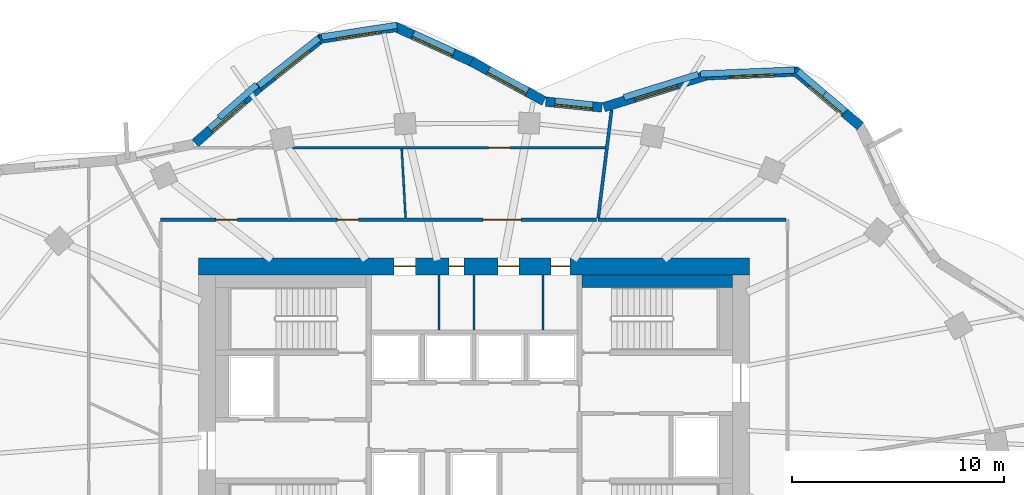
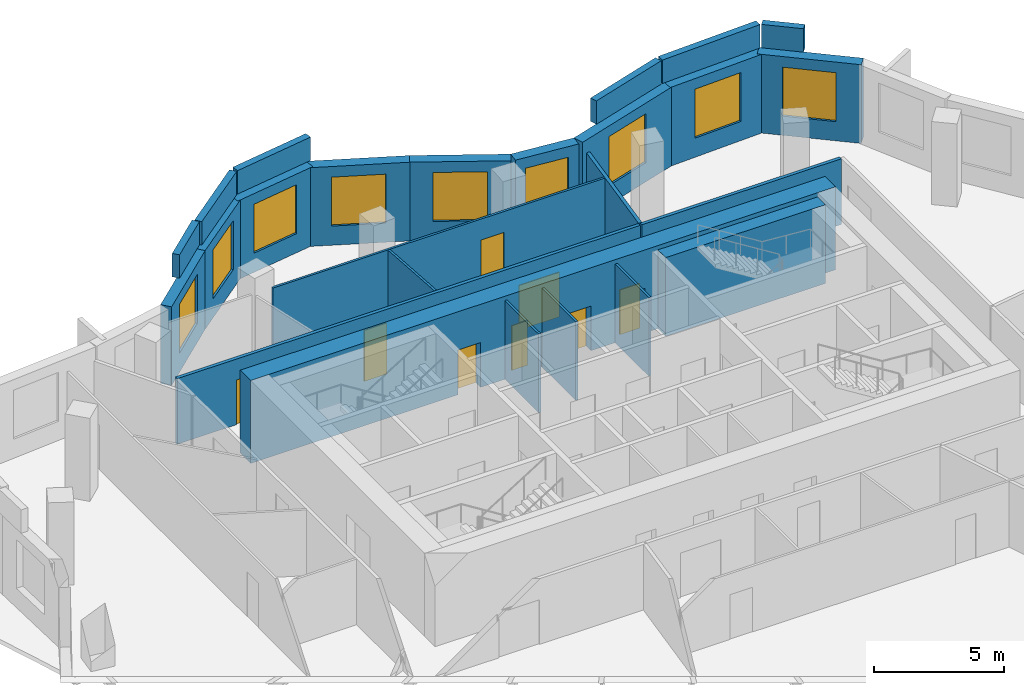
# One storey, part 7 of 9: 25 walls, 9 windows, 8 doors, 17 openings.
"""IFC4 building model written with IfcOpenShell, lengths in metres."""

import ifcopenshell
import ifcopenshell.guid

model = None  # the IFC model being written
_history = None  # IfcOwnerHistory: only IFC2X3 demands one
_inside = {}  # id of a spatial element -> (the spatial element, [elements in it])
_under = {}  # id of a project, library or spatial element -> (it, [spatial elements below it])
_declared = {}  # id of a project -> (the project, [libraries it declares])
_typed = {}  # id of a type object -> (the type object, [elements of that type])
_made_of = {}  # id of a material, layer set ... -> (it, [elements and type objects made of it])


def new_model(schema):
    """Start an empty IFC model of exactly this schema.

    Asked for "IFC4X3", IfcOpenShell would pick the latest addendum, in which some entities
    have other attributes; the version numbers below select the first issue.
    IFC2X3 requires an IfcOwnerHistory on every rooted entity: one is made here for all.
    """
    global model, _history
    if schema == "IFC4X3":
        model = ifcopenshell.file(schema_version=(4, 3, 0, 0))
    else:
        model = ifcopenshell.file(schema=schema)
    _inside.clear()
    _under.clear()
    _declared.clear()
    _typed.clear()
    _made_of.clear()
    _history = None
    if model.schema == "IFC2X3":
        org = make("IfcOrganization", Name="unknown")
        user = make(
            "IfcPersonAndOrganization",
            ThePerson=make("IfcPerson", FamilyName="unknown"),
            TheOrganization=org,
        )
        app = make(
            "IfcApplication",
            ApplicationDeveloper=org,
            Version="unknown",
            ApplicationFullName="unknown",
            ApplicationIdentifier="unknown",
        )
        _history = make(
            "IfcOwnerHistory",
            OwningUser=user,
            OwningApplication=app,
            ChangeAction="ADDED",
            CreationDate=0,
        )
    return model


def make(cls, **values):
    """One entity of the class cls with the attributes given. An attribute that is None is left unset."""
    return model.create_entity(
        cls, **{name: value for name, value in values.items() if value is not None}
    )


def rooted(cls, **values):
    """An entity with a GlobalId (a new one), such as an element, a storey or a relation."""
    return make(cls, GlobalId=ifcopenshell.guid.new(), OwnerHistory=_history, **values)


def si_unit(unit_type, name, prefix=None):
    """IfcSIUnit, for example si_unit("LENGTHUNIT", "METRE", prefix="MILLI")."""
    return make("IfcSIUnit", UnitType=unit_type, Prefix=prefix, Name=name)


def assignment(units):
    """IfcUnitAssignment: the units of a project."""
    return None if units is None else make("IfcUnitAssignment", Units=units)


def point(xyz):
    """IfcCartesianPoint."""
    return None if xyz is None else make("IfcCartesianPoint", Coordinates=xyz)


def direction(xyz):
    """IfcDirection."""
    return None if xyz is None else make("IfcDirection", DirectionRatios=xyz)


def frame(location, z_axis=None, x_axis=None):
    """IfcAxis2Placement3D, a coordinate frame: its origin and axes. An axis left out is left unset."""
    return make(
        "IfcAxis2Placement3D",
        Location=point(location),
        Axis=direction(z_axis),
        RefDirection=direction(x_axis),
    )


def frame_2d(location, x_axis=None):
    """IfcAxis2Placement2D, a coordinate frame in the plane: its origin and x axis."""
    return make(
        "IfcAxis2Placement2D", Location=point(location), RefDirection=direction(x_axis)
    )


def origin():
    """The frame at (0, 0, 0) with its axes left unset."""
    return frame((0.0, 0.0, 0.0))


def place(relative_to, where):
    """IfcLocalPlacement: puts the frame where relative to a parent placement (None: the world)."""
    return make(
        "IfcLocalPlacement", PlacementRelTo=relative_to, RelativePlacement=where
    )


def context(
    kind, dimensions, precision=None, world=None, true_north=None, identifier=None
):
    """IfcGeometricRepresentationContext, for example the 3D "Model" context."""
    return make(
        "IfcGeometricRepresentationContext",
        ContextIdentifier=identifier,
        ContextType=kind,
        CoordinateSpaceDimension=dimensions,
        Precision=precision,
        WorldCoordinateSystem=world,
        TrueNorth=true_north,
    )


def subcontext(parent, identifier, kind, view, scale=None):
    """IfcGeometricRepresentationSubContext, for example "Body" below "Model"."""
    return make(
        "IfcGeometricRepresentationSubContext",
        ContextIdentifier=identifier,
        ContextType=kind,
        ParentContext=parent,
        TargetScale=scale,
        TargetView=view,
    )


def project(units=None, contexts=None):
    """IfcProject with its units and contexts."""
    return rooted(
        "IfcProject",
        Name="project",
        RepresentationContexts=contexts,
        UnitsInContext=assignment(units),
    )


def spatial(cls, under=None, at=None, **own):
    """A site, building, storey or space (cls), placed at a placement, below another one or the project."""
    s = rooted(cls, ObjectPlacement=at, **own)
    if under is not None:
        _under.setdefault(under.id(), (under, []))[1].append(s)
    return s


def profile(cls, at=None, kind="AREA", **sizes):
    """A parametric profile (cls). Its sizes go by their IFC names, for example OverallWidth=200.0."""
    return make(cls, ProfileType=kind, Position=at, **sizes)


def rectangle(**sizes):
    """IfcRectangleProfileDef."""
    return profile("IfcRectangleProfileDef", **sizes)


def extrude(swept, where, along, depth):
    """IfcExtrudedAreaSolid: the profile swept, set in the frame where, extruded along a direction by depth."""
    return make(
        "IfcExtrudedAreaSolid",
        SweptArea=swept,
        Position=where,
        ExtrudedDirection=direction(along),
        Depth=depth,
    )


def shape(context_of_items, identifier, shape_type, items):
    """IfcShapeRepresentation: the items that make up one representation, for example the "Body"."""
    return make(
        "IfcShapeRepresentation",
        ContextOfItems=context_of_items,
        RepresentationIdentifier=identifier,
        RepresentationType=shape_type,
        Items=items,
    )


def material(Name=None, Category=None):
    """IfcMaterial."""
    return make("IfcMaterial", Name=Name, Category=Category)


def layer(
    of_material, thickness, ventilated=None, Name=None, Category=None, Priority=None
):
    """IfcMaterialLayer: one layer of a wall or slab, of a material (None: an air gap)."""
    return make(
        "IfcMaterialLayer",
        Material=of_material,
        LayerThickness=thickness,
        IsVentilated=ventilated,
        Name=Name,
        Category=Category,
        Priority=Priority,
    )


def layer_set(layers, Name=None):
    """IfcMaterialLayerSet."""
    return make("IfcMaterialLayerSet", MaterialLayers=layers, LayerSetName=Name)


def made_of(thing, what):
    """Note that an element or type object is made of a material, layer set ...; save() writes the relation."""
    if what is not None:
        _made_of.setdefault(what.id(), (what, []))[1].append(thing)
    return thing


def type_object(cls, material=None, **own):
    """A type object (cls), such as IfcWallType, which elements share."""
    return made_of(rooted(cls, **own), material)


def element(
    cls,
    number,
    at=None,
    inside=None,
    cuts=None,
    type_object=None,
    material=None,
    context=None,
    identifier="Body",
    shape_type=None,
    held_by="IfcProductDefinitionShape",
    body=None,
    shapes=None,
    **own,
):
    """One element of the class cls, such as IfcWall. Its Tag is "e" and its number.

    at: its placement. inside: the storey or other place that contains it. cuts: it is an
    opening in that element (IfcRelVoidsElement). A single representation is given by context,
    identifier, shape_type and body (its items); several are given by shapes. held_by: the class
    of the entity that holds the representations. save() writes the other relations.
    """
    e = rooted(cls, Tag="e%d" % number, ObjectPlacement=at, **own)
    if body is not None:
        shapes = [shape(context, identifier, shape_type, body)]
    if shapes is not None:
        e.Representation = make(held_by, Representations=shapes)
    if inside is not None:
        _inside.setdefault(inside.id(), (inside, []))[1].append(e)
    if cuts is not None:
        rooted(
            "IfcRelVoidsElement", RelatingBuildingElement=cuts, RelatedOpeningElement=e
        )
    if type_object is not None:
        _typed.setdefault(type_object.id(), (type_object, []))[1].append(e)
    return made_of(e, material)


def fill(opening, filler):
    """IfcRelFillsElement: the door or window that sits in an opening."""
    return rooted(
        "IfcRelFillsElement",
        RelatingOpeningElement=opening,
        RelatedBuildingElement=filler,
    )


def aggregate(whole, parts):
    """IfcRelAggregates: a whole, such as a stair, and the parts it consists of."""
    return rooted("IfcRelAggregates", RelatingObject=whole, RelatedObjects=parts)


def save(model, path):
    """Write the relations noted so far, then the file.

    IfcRelAggregates (storeys below a building ...), IfcRelContainedInSpatialStructure (elements
    in a storey), IfcRelDefinesByType, IfcRelAssociatesMaterial and IfcRelDeclares: one each for
    every whole, place, type object, material and project.
    """
    for whole, parts in _under.values():
        aggregate(whole, parts)
    for where, things in _inside.values():
        rooted(
            "IfcRelContainedInSpatialStructure",
            RelatedElements=things,
            RelatingStructure=where,
        )
    for kind, things in _typed.values():
        rooted("IfcRelDefinesByType", RelatedObjects=things, RelatingType=kind)
    for what, things in _made_of.values():
        rooted("IfcRelAssociatesMaterial", RelatedObjects=things, RelatingMaterial=what)
    for by, libraries in _declared.values():
        rooted("IfcRelDeclares", RelatingContext=by, RelatedDefinitions=libraries)
    model.write(path)


model = new_model("IFC4")

# Units and contexts
model_context = context("Model", 3, precision=1e-05, world=origin(), true_north=direction((0.0, 1.0)))
body_context = subcontext(model_context, "Body", "Model", "MODEL_VIEW")
ifc_project = project(units=[si_unit("LENGTHUNIT", "METRE"), si_unit("AREAUNIT", "SQUARE_METRE"), si_unit("VOLUMEUNIT", "CUBIC_METRE"), si_unit("PLANEANGLEUNIT", "RADIAN"), si_unit("MASSUNIT", "GRAM", prefix="KILO")], contexts=[model_context])

# Site, building, storey
site_placement = place(None, origin())
site = spatial("IfcSite", under=ifc_project, at=site_placement, CompositionType="ELEMENT")
building_placement = place(site_placement, origin())
building = spatial("IfcBuilding", under=site, at=building_placement, Name="Rubra Terraces Tower", CompositionType="ELEMENT")
storey_placement = place(building_placement, frame((0.0, 0.0, 244.800048828125)))
storey = spatial("IfcBuildingStorey", under=building, at=storey_placement, Name="L60", CompositionType="ELEMENT", Elevation=244.800048828125)

# Wall, opening, window
ifc_material_1 = material(Name="Brick masonry red-brown", Category="masonry")
ifc_layer_1 = layer(ifc_material_1, 0.449951171875)
ifc_layer_set_1 = layer_set([ifc_layer_1], Name="Brick masonry red-brown")
wall_type_1 = type_object("IfcWallType", Name="Brick facade wall 450", PredefinedType="SOLIDWALL", material=ifc_layer_set_1)
wall_1_placement = place(storey_placement, frame((18.23828125, 18.21240234375, 0.0), z_axis=(0.0, 0.0, 1.0), x_axis=(-0.762479604733, 0.647012250554, 0.0)))
wall_1 = element("IfcWall", 1, at=wall_1_placement, inside=storey, type_object=wall_type_1, Name="Facade wall L60 bay 6", PredefinedType="SOLIDWALL", context=body_context, shape_type="SweptSolid", body=[
    extrude(rectangle(XDim=4.07861328125, YDim=0.449951171875, at=frame_2d((2.039306640625, 0.0))), origin(), (0.0, 0.0, 1.0), 3.699951171875),
])
opening_1_placement = place(wall_1_placement, frame((0.989501953125, 0.0, 0.89990234375)))
opening_1 = element("IfcOpeningElement", 2, at=opening_1_placement, cuts=wall_1, Name="Opening W1B", PredefinedType="OPENING", context=body_context, shape_type="SweptSolid", body=[
    extrude(rectangle(XDim=2.10009765625, YDim=2.300048828125, at=frame_2d((1.050048828125, 1.14990234375))), frame((0.0, 0.23486328125, 0.0), z_axis=(0.0, -1.0, 0.0), x_axis=(1.0, 0.0, 0.0)), (0.0, 0.0, 1.0), 0.469970703125),
])
ifc_material_2 = material(Name="Clear glass in aluminium frame", Category="aluminium")
window_type_1 = type_object("IfcWindowType", Name="Fixed deep-set window tall storey 2100 x 2300", PartitioningType="SINGLE_PANEL", PredefinedType="WINDOW", material=ifc_material_2)
window_1_placement = place(opening_1_placement, origin())
window_1 = element("IfcWindow", 3, at=window_1_placement, inside=storey, type_object=window_type_1, Name="Window L60 bay 6", OverallHeight=2.300048828125, OverallWidth=2.10009765625, PartitioningType="SINGLE_PANEL", PredefinedType="WINDOW", context=body_context, shape_type="SweptSolid", body=[
    extrude(rectangle(XDim=2.10009765625, YDim=2.300048828125, at=frame_2d((1.050048828125, 1.14990234375))), frame((0.0, 0.135009765625, 0.0), z_axis=(0.0, -1.0, 0.0), x_axis=(1.0, 0.0, 0.0)), (0.0, 0.0, 1.0), 0.06005859375),
])
fill(opening_1, window_1)

wall_2_placement = place(storey_placement, frame((15.283447265625, 20.798095703125, 0.0), z_axis=(0.0, 0.0, 1.0), x_axis=(-0.999108814386, -0.042208731526, 0.0)))
wall_2 = element("IfcWall", 4, at=wall_2_placement, inside=storey, type_object=wall_type_1, Name="Facade wall L60 bay 7", PredefinedType="SOLIDWALL", context=body_context, shape_type="SweptSolid", body=[
    extrude(rectangle(XDim=4.338134765625, YDim=0.449951171875, at=frame_2d((2.1689453125, 0.0))), origin(), (0.0, 0.0, 1.0), 3.699951171875),
])
opening_2_placement = place(wall_2_placement, frame((1.119140625, 0.0, 0.89990234375)))
opening_2 = element("IfcOpeningElement", 5, at=opening_2_placement, cuts=wall_2, Name="Opening W1B", PredefinedType="OPENING", context=body_context, shape_type="SweptSolid", body=[
    extrude(rectangle(XDim=2.10009765625, YDim=2.300048828125, at=frame_2d((1.050048828125, 1.14990234375))), frame((0.0, 0.23486328125, 0.0), z_axis=(0.0, -1.0, 0.0), x_axis=(1.0, 0.0, 0.0)), (0.0, 0.0, 1.0), 0.469970703125),
])
window_2_placement = place(opening_2_placement, origin())
window_2 = element("IfcWindow", 6, at=window_2_placement, inside=storey, type_object=window_type_1, Name="Window L60 bay 7", OverallHeight=2.300048828125, OverallWidth=2.10009765625, PartitioningType="SINGLE_PANEL", PredefinedType="WINDOW", context=body_context, shape_type="SweptSolid", body=[
    extrude(rectangle(XDim=2.10009765625, YDim=2.300048828125, at=frame_2d((1.050048828125, 1.14990234375))), frame((0.0, 0.135009765625, 0.0), z_axis=(0.0, -1.0, 0.0), x_axis=(1.0, 0.0, 0.0)), (0.0, 0.0, 1.0), 0.06005859375),
])
fill(opening_2, window_2)

wall_3_placement = place(storey_placement, frame((11.006591796875, 20.625, 0.0), z_axis=(0.0, 0.0, 1.0), x_axis=(-0.954949254112, -0.296769139352, 0.0)))
wall_3 = element("IfcWall", 7, at=wall_3_placement, inside=storey, type_object=wall_type_1, Name="Facade wall L60 bay 8", PredefinedType="SOLIDWALL", context=body_context, shape_type="SweptSolid", body=[
    extrude(rectangle(XDim=5.106201171875, YDim=0.449951171875, at=frame_2d((2.55322265625, 0.0))), origin(), (0.0, 0.0, 1.0), 3.699951171875),
])
opening_3_placement = place(wall_3_placement, frame((1.503173828125, 0.0, 0.89990234375)))
opening_3 = element("IfcOpeningElement", 8, at=opening_3_placement, cuts=wall_3, Name="Opening W1B", PredefinedType="OPENING", context=body_context, shape_type="SweptSolid", body=[
    extrude(rectangle(XDim=2.10009765625, YDim=2.300048828125, at=frame_2d((1.050048828125, 1.14990234375))), frame((0.0, 0.23486328125, 0.0), z_axis=(0.0, -1.0, 0.0), x_axis=(1.0, 0.0, 0.0)), (0.0, 0.0, 1.0), 0.469970703125),
])
window_3_placement = place(opening_3_placement, origin())
window_3 = element("IfcWindow", 9, at=window_3_placement, inside=storey, type_object=window_type_1, Name="Window L60 bay 8", OverallHeight=2.300048828125, OverallWidth=2.10009765625, PartitioningType="SINGLE_PANEL", PredefinedType="WINDOW", context=body_context, shape_type="SweptSolid", body=[
    extrude(rectangle(XDim=2.10009765625, YDim=2.300048828125, at=frame_2d((1.050048828125, 1.14990234375))), frame((0.0, 0.135009765625, 0.0), z_axis=(0.0, -1.0, 0.0), x_axis=(1.0, 0.0, 0.0)), (0.0, 0.0, 1.0), 0.06005859375),
])
fill(opening_3, window_3)

wall_4_placement = place(storey_placement, frame((6.040283203125, 19.1005859375, 0.0), z_axis=(0.0, 0.0, 1.0), x_axis=(-0.994675968472, 0.103052014752, 0.0)))
wall_4 = element("IfcWall", 10, at=wall_4_placement, inside=storey, type_object=wall_type_1, Name="Facade wall L60 bay 9", PredefinedType="SOLIDWALL", context=body_context, shape_type="SweptSolid", body=[
    extrude(rectangle(XDim=2.669921875, YDim=0.449951171875, at=frame_2d((1.3349609375, 0.0))), origin(), (0.0, 0.0, 1.0), 3.699951171875),
])
opening_4_placement = place(wall_4_placement, frame((0.43505859375, 0.0, 0.89990234375)))
opening_4 = element("IfcOpeningElement", 11, at=opening_4_placement, cuts=wall_4, Name="Opening W6B", PredefinedType="OPENING", context=body_context, shape_type="SweptSolid", body=[
    extrude(rectangle(XDim=1.800048828125, YDim=2.300048828125, at=frame_2d((0.89990234375, 1.14990234375))), frame((0.0, 0.23486328125, 0.0), z_axis=(0.0, -1.0, 0.0), x_axis=(1.0, 0.0, 0.0)), (0.0, 0.0, 1.0), 0.469970703125),
])
window_type_2 = type_object("IfcWindowType", Name="Fixed deep-set window at wind fin tall storey 1800 x 2300", PartitioningType="SINGLE_PANEL", PredefinedType="WINDOW", material=ifc_material_2)
window_4_placement = place(opening_4_placement, origin())
window_4 = element("IfcWindow", 12, at=window_4_placement, inside=storey, type_object=window_type_2, Name="Window L60 bay 9", OverallHeight=2.300048828125, OverallWidth=1.800048828125, PartitioningType="SINGLE_PANEL", PredefinedType="WINDOW", context=body_context, shape_type="SweptSolid", body=[
    extrude(rectangle(XDim=1.800048828125, YDim=2.300048828125, at=frame_2d((0.89990234375, 1.14990234375))), frame((0.0, 0.135009765625, 0.0), z_axis=(0.0, -1.0, 0.0), x_axis=(1.0, 0.0, 0.0)), (0.0, 0.0, 1.0), 0.06005859375),
])
fill(opening_4, window_4)

wall_5_placement = place(storey_placement, frame((3.302001953125, 19.40087890625, 0.0), z_axis=(0.0, 0.0, 1.0), x_axis=(-0.878060540763, 0.47854956562, 0.0)))
wall_5 = element("IfcWall", 13, at=wall_5_placement, inside=storey, type_object=wall_type_1, Name="Facade wall L60 bay 10", PredefinedType="SOLIDWALL", context=body_context, shape_type="SweptSolid", body=[
    extrude(rectangle(XDim=3.9013671875, YDim=0.449951171875, at=frame_2d((1.95068359375, 0.0))), origin(), (0.0, 0.0, 1.0), 3.699951171875),
])
opening_5_placement = place(wall_5_placement, frame((0.900634765625, 0.0, 0.89990234375)))
opening_5 = element("IfcOpeningElement", 14, at=opening_5_placement, cuts=wall_5, Name="Opening W1B", PredefinedType="OPENING", context=body_context, shape_type="SweptSolid", body=[
    extrude(rectangle(XDim=2.10009765625, YDim=2.300048828125, at=frame_2d((1.050048828125, 1.14990234375))), frame((0.0, 0.23486328125, 0.0), z_axis=(0.0, -1.0, 0.0), x_axis=(1.0, 0.0, 0.0)), (0.0, 0.0, 1.0), 0.469970703125),
])
window_5_placement = place(opening_5_placement, origin())
window_5 = element("IfcWindow", 15, at=window_5_placement, inside=storey, type_object=window_type_1, Name="Window L60 bay 10", OverallHeight=2.300048828125, OverallWidth=2.10009765625, PartitioningType="SINGLE_PANEL", PredefinedType="WINDOW", context=body_context, shape_type="SweptSolid", body=[
    extrude(rectangle(XDim=2.10009765625, YDim=2.300048828125, at=frame_2d((1.050048828125, 1.14990234375))), frame((0.0, 0.135009765625, 0.0), z_axis=(0.0, -1.0, 0.0), x_axis=(1.0, 0.0, 0.0)), (0.0, 0.0, 1.0), 0.06005859375),
])
fill(opening_5, window_5)

wall_6_placement = place(storey_placement, frame((-0.109130859375, 21.260986328125, 0.0), z_axis=(0.0, 0.0, 1.0), x_axis=(-0.910040573706, 0.414519184367, 0.0)))
wall_6 = element("IfcWall", 16, at=wall_6_placement, inside=storey, type_object=wall_type_1, Name="Facade wall L60 bay 11", PredefinedType="SOLIDWALL", context=body_context, shape_type="SweptSolid", body=[
    extrude(rectangle(XDim=4.005615234375, YDim=0.449951171875, at=frame_2d((2.0029296875, 0.0))), origin(), (0.0, 0.0, 1.0), 3.699951171875),
])
opening_6_placement = place(wall_6_placement, frame((0.952880859375, 0.0, 0.89990234375)))
opening_6 = element("IfcOpeningElement", 17, at=opening_6_placement, cuts=wall_6, Name="Opening W1B", PredefinedType="OPENING", context=body_context, shape_type="SweptSolid", body=[
    extrude(rectangle(XDim=2.10009765625, YDim=2.300048828125, at=frame_2d((1.050048828125, 1.14990234375))), frame((0.0, 0.23486328125, 0.0), z_axis=(0.0, -1.0, 0.0), x_axis=(1.0, 0.0, 0.0)), (0.0, 0.0, 1.0), 0.469970703125),
])
window_6_placement = place(opening_6_placement, origin())
window_6 = element("IfcWindow", 18, at=window_6_placement, inside=storey, type_object=window_type_1, Name="Window L60 bay 11", OverallHeight=2.300048828125, OverallWidth=2.10009765625, PartitioningType="SINGLE_PANEL", PredefinedType="WINDOW", context=body_context, shape_type="SweptSolid", body=[
    extrude(rectangle(XDim=2.10009765625, YDim=2.300048828125, at=frame_2d((1.050048828125, 1.14990234375))), frame((0.0, 0.135009765625, 0.0), z_axis=(0.0, -1.0, 0.0), x_axis=(1.0, 0.0, 0.0)), (0.0, 0.0, 1.0), 0.06005859375),
])
fill(opening_6, window_6)

wall_7_placement = place(storey_placement, frame((-3.628662109375, 22.904541015625, 0.0), z_axis=(0.0, 0.0, 1.0), x_axis=(-0.988300084321, -0.152521943772, 0.0)))
wall_7 = element("IfcWall", 19, at=wall_7_placement, inside=storey, type_object=wall_type_1, Name="Facade wall L60 bay 12", PredefinedType="SOLIDWALL", context=body_context, shape_type="SweptSolid", body=[
    extrude(rectangle(XDim=3.71044921875, YDim=0.449951171875, at=frame_2d((1.855224609375, 0.0))), origin(), (0.0, 0.0, 1.0), 3.699951171875),
])
opening_7_placement = place(wall_7_placement, frame((0.80517578125, 0.0, 0.89990234375)))
opening_7 = element("IfcOpeningElement", 20, at=opening_7_placement, cuts=wall_7, Name="Opening W1B", PredefinedType="OPENING", context=body_context, shape_type="SweptSolid", body=[
    extrude(rectangle(XDim=2.10009765625, YDim=2.300048828125, at=frame_2d((1.050048828125, 1.14990234375))), frame((0.0, 0.23486328125, 0.0), z_axis=(0.0, -1.0, 0.0), x_axis=(1.0, 0.0, 0.0)), (0.0, 0.0, 1.0), 0.469970703125),
])
window_7_placement = place(opening_7_placement, origin())
window_7 = element("IfcWindow", 21, at=window_7_placement, inside=storey, type_object=window_type_1, Name="Window L60 bay 12", OverallHeight=2.300048828125, OverallWidth=2.10009765625, PartitioningType="SINGLE_PANEL", PredefinedType="WINDOW", context=body_context, shape_type="SweptSolid", body=[
    extrude(rectangle(XDim=2.10009765625, YDim=2.300048828125, at=frame_2d((1.050048828125, 1.14990234375))), frame((0.0, 0.135009765625, 0.0), z_axis=(0.0, -1.0, 0.0), x_axis=(1.0, 0.0, 0.0)), (0.0, 0.0, 1.0), 0.06005859375),
])
fill(opening_7, window_7)

wall_8_placement = place(storey_placement, frame((-7.192626953125, 22.3828125, 0.0), z_axis=(0.0, 0.0, 1.0), x_axis=(-0.784803291184, -0.619744942816, 0.0)))
wall_8 = element("IfcWall", 22, at=wall_8_placement, inside=storey, type_object=wall_type_1, Name="Facade wall L60 bay 13", PredefinedType="SOLIDWALL", context=body_context, shape_type="SweptSolid", body=[
    extrude(rectangle(XDim=3.774658203125, YDim=0.449951171875, at=frame_2d((1.88720703125, 0.0))), origin(), (0.0, 0.0, 1.0), 3.699951171875),
])
opening_8_placement = place(wall_8_placement, frame((0.83740234375, 0.0, 0.89990234375)))
opening_8 = element("IfcOpeningElement", 23, at=opening_8_placement, cuts=wall_8, Name="Opening W1B", PredefinedType="OPENING", context=body_context, shape_type="SweptSolid", body=[
    extrude(rectangle(XDim=2.10009765625, YDim=2.300048828125, at=frame_2d((1.050048828125, 1.14990234375))), frame((0.0, 0.23486328125, 0.0), z_axis=(0.0, -1.0, 0.0), x_axis=(1.0, 0.0, 0.0)), (0.0, 0.0, 1.0), 0.469970703125),
])
window_8_placement = place(opening_8_placement, origin())
window_8 = element("IfcWindow", 24, at=window_8_placement, inside=storey, type_object=window_type_1, Name="Window L60 bay 13", OverallHeight=2.300048828125, OverallWidth=2.10009765625, PartitioningType="SINGLE_PANEL", PredefinedType="WINDOW", context=body_context, shape_type="SweptSolid", body=[
    extrude(rectangle(XDim=2.10009765625, YDim=2.300048828125, at=frame_2d((1.050048828125, 1.14990234375))), frame((0.0, 0.135009765625, 0.0), z_axis=(0.0, -1.0, 0.0), x_axis=(1.0, 0.0, 0.0)), (0.0, 0.0, 1.0), 0.06005859375),
])
fill(opening_8, window_8)

wall_9_placement = place(storey_placement, frame((-10.146484375, 20.050537109375, 0.0), z_axis=(0.0, 0.0, 1.0), x_axis=(-0.753278140428, -0.657702093013, 0.0)))
wall_9 = element("IfcWall", 25, at=wall_9_placement, inside=storey, type_object=wall_type_1, Name="Facade wall L60 bay 14", PredefinedType="SOLIDWALL", context=body_context, shape_type="SweptSolid", body=[
    extrude(rectangle(XDim=4.0078125, YDim=0.449951171875, at=frame_2d((2.00390625, 0.0))), origin(), (0.0, 0.0, 1.0), 3.699951171875),
])
opening_9_placement = place(wall_9_placement, frame((0.9541015625, 0.0, 0.89990234375)))
opening_9 = element("IfcOpeningElement", 26, at=opening_9_placement, cuts=wall_9, Name="Opening W1B", PredefinedType="OPENING", context=body_context, shape_type="SweptSolid", body=[
    extrude(rectangle(XDim=2.10009765625, YDim=2.300048828125, at=frame_2d((1.050048828125, 1.14990234375))), frame((0.0, 0.23486328125, 0.0), z_axis=(0.0, -1.0, 0.0), x_axis=(1.0, 0.0, 0.0)), (0.0, 0.0, 1.0), 0.469970703125),
])
window_9_placement = place(opening_9_placement, origin())
window_9 = element("IfcWindow", 27, at=window_9_placement, inside=storey, type_object=window_type_1, Name="Window L60 bay 14", OverallHeight=2.300048828125, OverallWidth=2.10009765625, PartitioningType="SINGLE_PANEL", PredefinedType="WINDOW", context=body_context, shape_type="SweptSolid", body=[
    extrude(rectangle(XDim=2.10009765625, YDim=2.300048828125, at=frame_2d((1.050048828125, 1.14990234375))), frame((0.0, 0.135009765625, 0.0), z_axis=(0.0, -1.0, 0.0), x_axis=(1.0, 0.0, 0.0)), (0.0, 0.0, 1.0), 0.06005859375),
])
fill(opening_9, window_9)

# Walls
ifc_layer_2 = layer(ifc_material_1, 0.300048828125)
ifc_layer_set_2 = layer_set([ifc_layer_2], Name="Brick masonry red-brown")
wall_type_2 = type_object("IfcWallType", Name="Brick parapet 300", PredefinedType="PARAPET", material=ifc_layer_set_2)
wall_10_placement = place(storey_placement, frame((16.54150390625, 19.75048828125, 3.89990234375), z_axis=(0.0, 0.0, 1.0), x_axis=(-0.762426907318, 0.647074347349, 0.0)))
element("IfcWall", 28, at=wall_10_placement, inside=storey, type_object=wall_type_2, Name="Parapet L60 bay 6", PredefinedType="PARAPET", context=body_context, shape_type="SweptSolid", body=[
    extrude(rectangle(XDim=1.642333984375, YDim=0.300048828125, at=frame_2d((0.8212890625, 0.0))), origin(), (0.0, 0.0, 1.0), 1.10009765625),
])
wall_11_placement = place(storey_placement, frame((15.133056640625, 20.866943359375, 3.89990234375), z_axis=(0.0, 0.0, 1.0), x_axis=(-0.999109914186, -0.042182690458, 0.0)))
element("IfcWall", 29, at=wall_11_placement, inside=storey, type_object=wall_type_2, Name="Parapet L60 bay 7", PredefinedType="PARAPET", context=body_context, shape_type="SweptSolid", body=[
    extrude(rectangle(XDim=4.45068359375, YDim=0.300048828125, at=frame_2d((2.225341796875, 0.0))), origin(), (0.0, 0.0, 1.0), 1.10009765625),
])
wall_12_placement = place(storey_placement, frame((10.589599609375, 20.662353515625, 3.89990234375), z_axis=(0.0, 0.0, 1.0), x_axis=(-0.954933257017, -0.296820610207, 0.0)))
element("IfcWall", 30, at=wall_12_placement, inside=storey, type_object=wall_type_2, Name="Parapet L60 bay 8", PredefinedType="PARAPET", context=body_context, shape_type="SweptSolid", body=[
    extrude(rectangle(XDim=3.6806640625, YDim=0.300048828125, at=frame_2d((1.84033203125, 0.0))), origin(), (0.0, 0.0, 1.0), 1.10009765625),
])
wall_13_placement = place(storey_placement, frame((-3.64013671875, 22.978759765625, 3.89990234375), z_axis=(0.0, 0.0, 1.0), x_axis=(-0.988299486994, -0.152525814235, 0.0)))
element("IfcWall", 31, at=wall_13_placement, inside=storey, type_object=wall_type_2, Name="Parapet L60 bay 12", PredefinedType="PARAPET", context=body_context, shape_type="SweptSolid", body=[
    extrude(rectangle(XDim=3.6015625, YDim=0.300048828125, at=frame_2d((1.80078125, 0.0))), origin(), (0.0, 0.0, 1.0), 1.10009765625),
])
wall_14_placement = place(storey_placement, frame((-7.322509765625, 22.375732421875, 3.89990234375), z_axis=(0.0, 0.0, 1.0), x_axis=(-0.784819122577, -0.61972489448, 0.0)))
element("IfcWall", 32, at=wall_14_placement, inside=storey, type_object=wall_type_2, Name="Parapet L60 bay 13", PredefinedType="PARAPET", context=body_context, shape_type="SweptSolid", body=[
    extrude(rectangle(XDim=3.63330078125, YDim=0.300048828125, at=frame_2d((1.816650390625, 0.0))), origin(), (0.0, 0.0, 1.0), 1.10009765625),
])
wall_15_placement = place(storey_placement, frame((-10.252197265625, 20.17431640625, 3.89990234375), z_axis=(0.0, 0.0, 1.0), x_axis=(-0.753260147018, -0.657722700622, 0.0)))
element("IfcWall", 33, at=wall_15_placement, inside=storey, type_object=wall_type_2, Name="Parapet L60 bay 14", PredefinedType="PARAPET", context=body_context, shape_type="SweptSolid", body=[
    extrude(rectangle(XDim=2.366455078125, YDim=0.300048828125, at=frame_2d((1.18310546875, 0.0))), origin(), (0.0, 0.0, 1.0), 1.10009765625),
])

# Wall, openings, doors
ifc_material_3 = material(Name="Concrete C50", Category="concrete")
ifc_layer_3 = layer(ifc_material_3, 0.800048828125)
ifc_layer_set_3 = layer_set([ifc_layer_3], Name="Concrete C50")
wall_type_3 = type_object("IfcWallType", Name="CORE WALL 800 C50", PredefinedType="SHEAR", material=ifc_layer_set_3)
wall_16_placement = place(storey_placement, frame((-13.0, 11.60009765625, 0.0), z_axis=(0.0, 0.0, 1.0), x_axis=(1.0, 0.0, 0.0)))
wall_16 = element("IfcWall", 34, at=wall_16_placement, inside=storey, type_object=wall_type_3, Name="CORE WALL N L60", PredefinedType="SHEAR", context=body_context, shape_type="SweptSolid", body=[
    extrude(rectangle(XDim=26.0, YDim=0.800048828125, at=frame_2d((13.0, 0.0))), origin(), (0.0, 0.0, 1.0), 3.89990234375),
])
opening_10_placement = place(wall_16_placement, frame((9.22509765625, 0.0, 0.0)))
opening_10 = element("IfcOpeningElement", 35, at=opening_10_placement, cuts=wall_16, Name="Opening L60.C25", PredefinedType="OPENING", context=body_context, shape_type="SweptSolid", body=[
    extrude(rectangle(XDim=1.0, YDim=2.10009765625, at=frame_2d((0.5, 1.050048828125))), frame((0.0, 0.409912109375, 0.0), z_axis=(0.0, -1.0, 0.0), x_axis=(1.0, 0.0, 0.0)), (0.0, 0.0, 1.0), 0.820068359375),
])
opening_11_placement = place(wall_16_placement, frame((11.824951171875, 0.0, 0.0)))
opening_11 = element("IfcOpeningElement", 36, at=opening_11_placement, cuts=wall_16, Name="Opening L60.C26", PredefinedType="OPENING", context=body_context, shape_type="SweptSolid", body=[
    extrude(rectangle(XDim=0.699951171875, YDim=2.10009765625, at=frame_2d((0.35009765625, 1.050048828125))), frame((0.0, 0.409912109375, 0.0), z_axis=(0.0, -1.0, 0.0), x_axis=(1.0, 0.0, 0.0)), (0.0, 0.0, 1.0), 0.820068359375),
])
opening_12_placement = place(wall_16_placement, frame((14.125, 0.0, 0.0)))
opening_12 = element("IfcOpeningElement", 37, at=opening_12_placement, cuts=wall_16, Name="Opening L60.C27", PredefinedType="OPENING", context=body_context, shape_type="SweptSolid", body=[
    extrude(rectangle(XDim=1.0, YDim=2.10009765625, at=frame_2d((0.5, 1.050048828125))), frame((0.0, 0.409912109375, 0.0), z_axis=(0.0, -1.0, 0.0), x_axis=(1.0, 0.0, 0.0)), (0.0, 0.0, 1.0), 0.820068359375),
])
opening_13_placement = place(wall_16_placement, frame((16.625, 0.0, 0.0)))
opening_13 = element("IfcOpeningElement", 38, at=opening_13_placement, cuts=wall_16, Name="Opening L60.C28", PredefinedType="OPENING", context=body_context, shape_type="SweptSolid", body=[
    extrude(rectangle(XDim=0.89990234375, YDim=2.10009765625, at=frame_2d((0.449951171875, 1.050048828125))), frame((0.0, 0.409912109375, 0.0), z_axis=(0.0, -1.0, 0.0), x_axis=(1.0, 0.0, 0.0)), (0.0, 0.0, 1.0), 0.820068359375),
])
ifc_material_4 = material(Name="Painted steel", Category="steel")
door_type_1 = type_object("IfcDoorType", Name="Fire door 1000x2100 single", OperationType="NOTDEFINED", PredefinedType="DOOR", material=ifc_material_4)
door_1_placement = place(opening_10_placement, origin())
door_1 = element("IfcDoor", 39, at=door_1_placement, inside=storey, type_object=door_type_1, Name="Guest pantry door", OperationType="SINGLE_SWING_LEFT", OverallHeight=2.10009765625, OverallWidth=1.0, PredefinedType="DOOR", context=body_context, shape_type="SweptSolid", body=[
    extrude(rectangle(XDim=1.0, YDim=2.10009765625, at=frame_2d((0.5, 1.050048828125))), frame((0.0, 0.02490234375, 0.0), z_axis=(0.0, -1.0, 0.0), x_axis=(1.0, 0.0, 0.0)), (0.0, 0.0, 1.0), 0.050048828125),
])
fill(opening_10, door_1)
door_2_placement = place(opening_12_placement, origin())
door_2 = element("IfcDoor", 40, at=door_2_placement, inside=storey, type_object=door_type_1, Name="Security and building control room door", OperationType="SINGLE_SWING_LEFT", OverallHeight=2.10009765625, OverallWidth=1.0, PredefinedType="DOOR", context=body_context, shape_type="SweptSolid", body=[
    extrude(rectangle(XDim=1.0, YDim=2.10009765625, at=frame_2d((0.5, 1.050048828125))), frame((0.0, 0.02490234375, 0.0), z_axis=(0.0, -1.0, 0.0), x_axis=(1.0, 0.0, 0.0)), (0.0, 0.0, 1.0), 0.050048828125),
])
fill(opening_12, door_2)
door_type_2 = type_object("IfcDoorType", Name="Fire door 900x2100 single", OperationType="NOTDEFINED", PredefinedType="DOOR", material=ifc_material_4)
door_3_placement = place(opening_13_placement, origin())
door_3 = element("IfcDoor", 41, at=door_3_placement, inside=storey, type_object=door_type_2, Name="Cleaner's store door", OperationType="SINGLE_SWING_RIGHT", OverallHeight=2.10009765625, OverallWidth=0.89990234375, PredefinedType="DOOR", context=body_context, shape_type="SweptSolid", body=[
    extrude(rectangle(XDim=0.89990234375, YDim=2.10009765625, at=frame_2d((0.449951171875, 1.050048828125))), frame((0.0, 0.02490234375, 0.0), z_axis=(0.0, -1.0, 0.0), x_axis=(1.0, 0.0, 0.0)), (0.0, 0.0, 1.0), 0.050048828125),
])
fill(opening_13, door_3)
door_type_3 = type_object("IfcDoorType", Name="Riser access door 700x2100 single", OperationType="NOTDEFINED", PredefinedType="DOOR", material=ifc_material_4)
door_4_placement = place(opening_11_placement, origin())
door_4 = element("IfcDoor", 42, at=door_4_placement, inside=storey, type_object=door_type_3, Name="Electrical riser room door", OperationType="SINGLE_SWING_RIGHT", OverallHeight=2.10009765625, OverallWidth=0.699951171875, PredefinedType="DOOR", context=body_context, shape_type="SweptSolid", body=[
    extrude(rectangle(XDim=0.699951171875, YDim=2.10009765625, at=frame_2d((0.35009765625, 1.050048828125))), frame((0.0, 0.02490234375, 0.0), z_axis=(0.0, -1.0, 0.0), x_axis=(1.0, 0.0, 0.0)), (0.0, 0.0, 1.0), 0.050048828125),
])
fill(opening_11, door_4)

# Wall
ifc_material_5 = material(Name="Plasterboard on steel stud, mineral wool infill", Category="steel")
ifc_layer_4 = layer(ifc_material_5, 0.14990234375)
ifc_layer_set_4 = layer_set([ifc_layer_4], Name="Plasterboard on steel stud, mineral wool infill")
wall_type_4 = type_object("IfcWallType", Name="CORRIDOR PARTITION 150", PredefinedType="PARTITIONING", material=ifc_layer_set_4)
wall_17_placement = place(storey_placement, frame((14.72509765625, 13.800048828125, 0.0), z_axis=(0.0, 0.0, 1.0), x_axis=(-1.0, 0.0, 0.0)))
element("IfcWall", 43, at=wall_17_placement, inside=storey, type_object=wall_type_4, Name="PARTITION", PredefinedType="PARTITIONING", context=body_context, shape_type="SweptSolid", body=[
    extrude(rectangle(XDim=8.873291015625, YDim=0.14990234375, at=frame_2d((4.4365234375, 0.0))), origin(), (0.0, 0.0, 1.0), 3.083984375),
])

# Wall, openings, doors
wall_18_placement = place(storey_placement, frame((5.77685546875, 13.800048828125, 0.0), z_axis=(0.0, 0.0, 1.0), x_axis=(-1.0, 0.0, 0.0)))
wall_18 = element("IfcWall", 44, at=wall_18_placement, inside=storey, type_object=wall_type_4, Name="PARTITION", PredefinedType="PARTITIONING", context=body_context, shape_type="SweptSolid", body=[
    extrude(rectangle(XDim=20.576904296875, YDim=0.14990234375, at=frame_2d((10.28857421875, 0.0))), origin(), (0.0, 0.0, 1.0), 3.083984375),
])
opening_14_placement = place(wall_18_placement, frame((3.56396484375, 0.0, 0.0)))
opening_14 = element("IfcOpeningElement", 45, at=opening_14_placement, cuts=wall_18, Name="Opening 60-112", PredefinedType="OPENING", context=body_context, shape_type="SweptSolid", body=[
    extrude(rectangle(XDim=1.800048828125, YDim=2.10009765625, at=frame_2d((0.89990234375, 1.050048828125))), frame((0.0, 0.0849609375, 0.0), z_axis=(0.0, -1.0, 0.0), x_axis=(1.0, 0.0, 0.0)), (0.0, 0.0, 1.0), 0.169921875),
])
opening_15_placement = place(wall_18_placement, frame((11.23291015625, 0.0, 0.0)))
opening_15 = element("IfcOpeningElement", 46, at=opening_15_placement, cuts=wall_18, Name="Opening 60-114", PredefinedType="OPENING", context=body_context, shape_type="SweptSolid", body=[
    extrude(rectangle(XDim=1.0, YDim=2.39990234375, at=frame_2d((0.5, 1.199951171875))), frame((0.0, 0.0849609375, 0.0), z_axis=(0.0, -1.0, 0.0), x_axis=(1.0, 0.0, 0.0)), (0.0, 0.0, 1.0), 0.169921875),
])
opening_16_placement = place(wall_18_placement, frame((16.949951171875, 0.0, 0.0)))
opening_16 = element("IfcOpeningElement", 47, at=opening_16_placement, cuts=wall_18, Name="Opening 60-120", PredefinedType="OPENING", context=body_context, shape_type="SweptSolid", body=[
    extrude(rectangle(XDim=1.0, YDim=2.10009765625, at=frame_2d((0.5, 1.050048828125))), frame((0.0, 0.0849609375, 0.0), z_axis=(0.0, -1.0, 0.0), x_axis=(1.0, 0.0, 0.0)), (0.0, 0.0, 1.0), 0.169921875),
])
ifc_material_6 = material(Name="Glazed aluminium meeting door leaf", Category="aluminium")
door_type_4 = type_object("IfcDoorType", Name="MEETING ROOM GLAZED DOOR 1000 X 2400", OperationType="SINGLE_SWING_LEFT", PredefinedType="DOOR", material=ifc_material_6)
door_5_placement = place(opening_15_placement, origin())
door_5 = element("IfcDoor", 48, at=door_5_placement, inside=storey, type_object=door_type_4, Name="DOOR 60-114", OperationType="SINGLE_SWING_RIGHT", OverallHeight=2.39990234375, OverallWidth=1.0, PredefinedType="DOOR", context=body_context, shape_type="SweptSolid", body=[
    extrude(rectangle(XDim=1.0, YDim=2.39990234375, at=frame_2d((0.5, 1.199951171875))), frame((0.0, 0.02490234375, 0.0), z_axis=(0.0, -1.0, 0.0), x_axis=(1.0, 0.0, 0.0)), (0.0, 0.0, 1.0), 0.050048828125),
])
fill(opening_15, door_5)
ifc_material_7 = material(Name="Painted timber door leaf", Category="wood")
door_type_5 = type_object("IfcDoorType", Name="ROOM DOOR 1000 X 2100", OperationType="SINGLE_SWING_LEFT", PredefinedType="DOOR", material=ifc_material_7)
door_6_placement = place(opening_16_placement, origin())
door_6 = element("IfcDoor", 49, at=door_6_placement, inside=storey, type_object=door_type_5, Name="DOOR 60-120", OperationType="SINGLE_SWING_RIGHT", OverallHeight=2.10009765625, OverallWidth=1.0, PredefinedType="DOOR", context=body_context, shape_type="SweptSolid", body=[
    extrude(rectangle(XDim=1.0, YDim=2.10009765625, at=frame_2d((0.5, 1.050048828125))), frame((0.0, 0.02490234375, 0.0), z_axis=(0.0, -1.0, 0.0), x_axis=(1.0, 0.0, 0.0)), (0.0, 0.0, 1.0), 0.050048828125),
])
fill(opening_16, door_6)
ifc_material_8 = material(Name="Painted timber door leaf, double", Category="wood")
door_type_6 = type_object("IfcDoorType", Name="ROOM DOUBLE DOOR 1800 X 2100", OperationType="DOUBLE_DOOR_SINGLE_SWING", PredefinedType="DOOR", material=ifc_material_8)
door_7_placement = place(opening_14_placement, origin())
door_7 = element("IfcDoor", 50, at=door_7_placement, inside=storey, type_object=door_type_6, Name="DOOR 60-112", OperationType="DOUBLE_DOOR_SINGLE_SWING", OverallHeight=2.10009765625, OverallWidth=1.800048828125, PredefinedType="DOOR", context=body_context, shape_type="SweptSolid", body=[
    extrude(rectangle(XDim=1.800048828125, YDim=2.10009765625, at=frame_2d((0.89990234375, 1.050048828125))), frame((0.0, 0.02490234375, 0.0), z_axis=(0.0, -1.0, 0.0), x_axis=(1.0, 0.0, 0.0)), (0.0, 0.0, 1.0), 0.050048828125),
])
fill(opening_14, door_7)

# Wall
ifc_material_9 = material(Name="Concrete C40", Category="concrete")
ifc_layer_5 = layer(ifc_material_9, 0.60009765625)
ifc_layer_set_5 = layer_set([ifc_layer_5], Name="Concrete C40")
wall_type_5 = type_object("IfcWallType", Name="Core lining wall 600 concrete", PredefinedType="SOLIDWALL", material=ifc_layer_set_5)
wall_19_placement = place(storey_placement, frame((12.199951171875, 10.89990234375, 0.0), z_axis=(0.0, 0.0, 1.0), x_axis=(-1.0, 0.0, 0.0)))
element("IfcWall", 51, at=wall_19_placement, inside=storey, type_object=wall_type_5, Name="CORE LINING WALL L60", PredefinedType="SOLIDWALL", context=body_context, shape_type="SweptSolid", body=[
    extrude(rectangle(XDim=7.099853515625, YDim=0.60009765625, at=frame_2d((3.5498046875, 0.0))), origin(), (0.0, 0.0, 1.0), 3.699951171875),
])

# Wall, opening, door
ifc_material_10 = material(Name="Plasterboard on steel stud", Category="steel")
ifc_layer_6 = layer(ifc_material_10, 0.10009765625)
ifc_layer_set_6 = layer_set([ifc_layer_6], Name="Plasterboard on steel stud")
wall_type_6 = type_object("IfcWallType", Name="ROOM PARTITION 100", PredefinedType="PARTITIONING", material=ifc_layer_set_6)
wall_20_placement = place(storey_placement, frame((-8.56591796875, 17.199951171875, 0.0), z_axis=(0.0, 0.0, 1.0), x_axis=(1.0, 0.0, 0.0)))
wall_20 = element("IfcWall", 52, at=wall_20_placement, inside=storey, type_object=wall_type_6, Name="PARTITION", PredefinedType="PARTITIONING", context=body_context, shape_type="SweptSolid", body=[
    extrude(rectangle(XDim=14.818359375, YDim=0.10009765625, at=frame_2d((7.4091796875, 0.0))), origin(), (0.0, 0.0, 1.0), 3.083984375),
])
opening_17_placement = place(wall_20_placement, frame((9.2529296875, 0.0, 0.0)))
opening_17 = element("IfcOpeningElement", 53, at=opening_17_placement, cuts=wall_20, Name="Opening 60-113", PredefinedType="OPENING", context=body_context, shape_type="SweptSolid", body=[
    extrude(rectangle(XDim=1.0, YDim=2.10009765625, at=frame_2d((0.5, 1.050048828125))), frame((0.0, 0.06005859375, 0.0), z_axis=(0.0, -1.0, 0.0), x_axis=(1.0, 0.0, 0.0)), (0.0, 0.0, 1.0), 0.1201171875),
])
door_8_placement = place(opening_17_placement, origin())
door_8 = element("IfcDoor", 54, at=door_8_placement, inside=storey, type_object=door_type_5, Name="DOOR 60-113", OperationType="SINGLE_SWING_LEFT", OverallHeight=2.10009765625, OverallWidth=1.0, PredefinedType="DOOR", context=body_context, shape_type="SweptSolid", body=[
    extrude(rectangle(XDim=1.0, YDim=2.10009765625, at=frame_2d((0.5, 1.050048828125))), frame((0.0, 0.02490234375, 0.0), z_axis=(0.0, -1.0, 0.0), x_axis=(1.0, 0.0, 0.0)), (0.0, 0.0, 1.0), 0.050048828125),
])
fill(opening_17, door_8)

# Walls
wall_21_placement = place(storey_placement, frame((-3.231201171875, 13.875, 0.0), z_axis=(0.0, 0.0, 1.0), x_axis=(-0.056339740822, 0.998411655383, 0.0)))
element("IfcWall", 55, at=wall_21_placement, inside=storey, type_object=wall_type_6, Name="PARTITION", PredefinedType="PARTITIONING", context=body_context, shape_type="SweptSolid", body=[
    extrude(rectangle(XDim=3.2802734375, YDim=0.10009765625, at=frame_2d((1.64013671875, 0.0))), origin(), (0.0, 0.0, 1.0), 3.083984375),
])
ifc_layer_7 = layer(ifc_material_10, 0.14990234375)
ifc_layer_set_7 = layer_set([ifc_layer_7], Name="Plasterboard on steel stud")
wall_type_7 = type_object("IfcWallType", Name="ROOM PARTITION 150", PredefinedType="PARTITIONING", material=ifc_layer_set_7)
wall_22_placement = place(storey_placement, frame((6.4931640625, 18.982421875, 0.0), z_axis=(0.0, 0.0, 1.0), x_axis=(-0.122808633413, -0.992430370131, 0.0)))
element("IfcWall", 56, at=wall_22_placement, inside=storey, type_object=wall_type_7, Name="PARTITION", PredefinedType="PARTITIONING", context=body_context, shape_type="SweptSolid", body=[
    extrude(rectangle(XDim=5.14697265625, YDim=0.14990234375, at=frame_2d((2.573486328125, 0.0))), origin(), (0.0, 0.0, 1.0), 3.083984375),
])
ifc_material_11 = material(Name="Blockwork", Category="masonry")
ifc_layer_8 = layer(ifc_material_11, 0.10009765625)
ifc_layer_set_8 = layer_set([ifc_layer_8], Name="Blockwork")
wall_type_8 = type_object("IfcWallType", Name="Service partition 100 blockwork", PredefinedType="PARTITIONING", material=ifc_layer_set_8)
for number, where, z_axis, x_axis, name in (
    (57, (-1.64990234375, 8.60009765625, 0.0), (0.0, 0.0, 1.0), (0.0, 1.0, 0.0), "SERVICE ROOM PARTITION L60"),
    (58, (0.0, 8.60009765625, 0.0), (0.0, 0.0, 1.0), (0.0, 1.0, 0.0), "SERVICE ROOM PARTITION L60"),
    (59, (3.25, 8.60009765625, 0.0), (0.0, 0.0, 1.0), (0.0, 1.0, 0.0), "SERVICE ROOM PARTITION L60"),
):
    element("IfcWall", number, at=place(storey_placement, frame(where, z_axis=z_axis, x_axis=x_axis)), inside=storey, type_object=wall_type_8, Name=name, PredefinedType="PARTITIONING", context=body_context, shape_type="SweptSolid", body=[
        extrude(rectangle(XDim=2.599853515625, YDim=0.10009765625, at=frame_2d((1.2998046875, 0.0))), origin(), (0.0, 0.0, 1.0), 3.699951171875),
    ])

save(model, "model.ifc")
